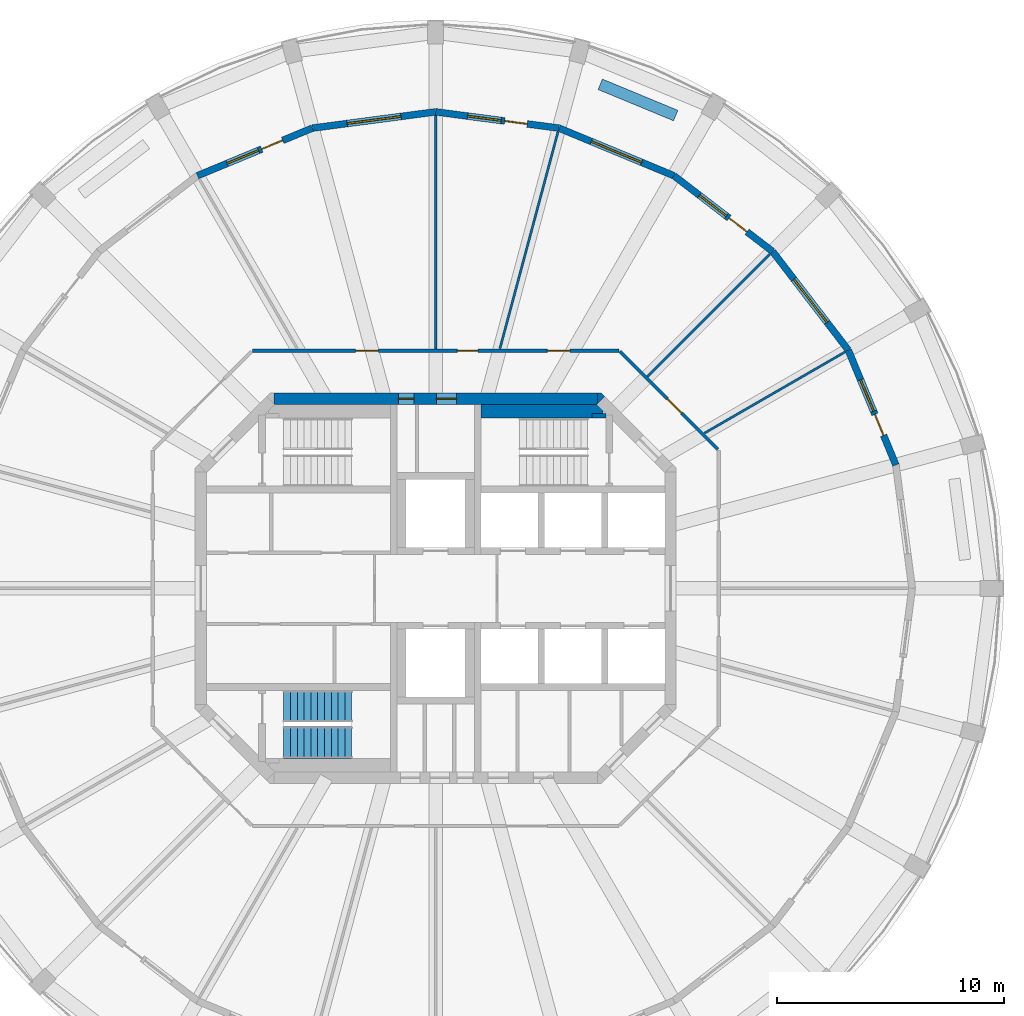
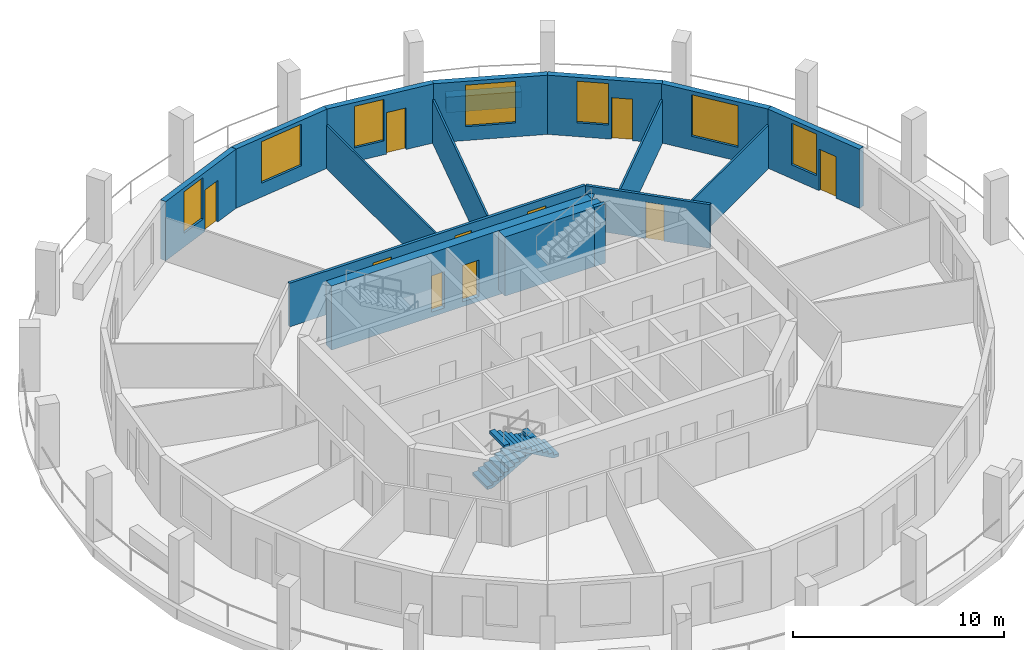
# One storey, part 6 of 9: 18 walls, 10 doors, 7 windows, 2 stair flights, 17 openings, 1 element without a shape of its own.
"""IFC4 building model written with IfcOpenShell, lengths in metres."""

from ifc_helpers import new_model, si_unit, direction, frame, frame_2d, origin, place, context, subcontext, project, spatial, polyline, rectangle, outline, extrude, material, layer, layer_set, type_object, element, fill, aggregate, save


model = new_model("IFC4")

# Units and contexts
model_context = context("Model", 3, precision=1e-05, world=origin(), true_north=direction((0.0, 1.0)))
body_context = subcontext(model_context, "Body", "Model", "MODEL_VIEW")
ifc_project = project(units=[si_unit("LENGTHUNIT", "METRE"), si_unit("AREAUNIT", "SQUARE_METRE"), si_unit("VOLUMEUNIT", "CUBIC_METRE"), si_unit("PLANEANGLEUNIT", "RADIAN"), si_unit("MASSUNIT", "GRAM", prefix="KILO")], contexts=[model_context])

# Site, building, storey
site_placement = place(None, origin())
site = spatial("IfcSite", under=ifc_project, at=site_placement, CompositionType="ELEMENT")
building_placement = place(site_placement, origin())
building = spatial("IfcBuilding", under=site, at=building_placement, Name="Torre Triforio", CompositionType="ELEMENT")
storey_placement = place(building_placement, frame((0.0, 0.0, 272.300048828125)))
storey = spatial("IfcBuildingStorey", under=building, at=storey_placement, Name="L63", CompositionType="ELEMENT", Elevation=272.300048828125)

# Wall, openings, doors
ifc_material_1 = material(Name="Concrete C40", Category="concrete")
ifc_layer_1 = layer(ifc_material_1, 0.5)
ifc_layer_set_1 = layer_set([ifc_layer_1], Name="Concrete C40")
wall_type_1 = type_object("IfcWallType", Name="Core wall 500 mm C40 EI 120", PredefinedType="SHEAR", material=ifc_layer_set_1)
wall_1_placement = place(storey_placement, frame((-7.1298828125, 8.35009765625, -0.280029296875), z_axis=(0.0, 0.0, 1.0), x_axis=(1.0, 0.0, 0.0)))
wall_1 = element("IfcWall", 1, at=wall_1_placement, inside=storey, type_object=wall_type_1, Name="Core wall", PredefinedType="SHEAR", context=body_context, shape_type="SweptSolid", body=[
    extrude(rectangle(XDim=14.259765625, YDim=0.5, at=frame_2d((7.1298828125, 0.0))), origin(), (0.0, 0.0, 1.0), 3.699951171875),
])
opening_1_placement = place(wall_1_placement, frame((5.47998046875, 0.0, 0.280029296875)))
opening_1 = element("IfcOpeningElement", 2, at=opening_1_placement, cuts=wall_1, Name="Opening RISER-N", PredefinedType="OPENING", context=body_context, shape_type="SweptSolid", body=[
    extrude(rectangle(XDim=0.699951171875, YDim=2.10009765625, at=frame_2d((0.35009765625, 1.050048828125))), frame((0.0, 0.260009765625, 0.0), z_axis=(0.0, -1.0, 0.0), x_axis=(1.0, 0.0, 0.0)), (0.0, 0.0, 1.0), 0.52001953125),
])
opening_2_placement = place(wall_1_placement, frame((7.155029296875, 0.0, 0.280029296875)))
opening_2 = element("IfcOpeningElement", 3, at=opening_2_placement, cuts=wall_1, Name="Opening NE-01", PredefinedType="OPENING", context=body_context, shape_type="SweptSolid", body=[
    extrude(rectangle(XDim=0.89990234375, YDim=2.10009765625, at=frame_2d((0.449951171875, 1.050048828125))), frame((0.0, 0.260009765625, 0.0), z_axis=(0.0, -1.0, 0.0), x_axis=(1.0, 0.0, 0.0)), (0.0, 0.0, 1.0), 0.52001953125),
])
ifc_material_2 = material(Name="Hollow metal fire door leaf")
door_type_1 = type_object("IfcDoorType", Name="Riser door 700 x 2100 EI 60", OperationType="NOTDEFINED", PredefinedType="DOOR", material=ifc_material_2)
door_1_placement = place(opening_1_placement, origin())
door_1 = element("IfcDoor", 4, at=door_1_placement, inside=storey, type_object=door_type_1, Name="Core door RISER-N", OperationType="SINGLE_SWING_LEFT", OverallHeight=2.10009765625, OverallWidth=0.699951171875, PredefinedType="DOOR", context=body_context, shape_type="SweptSolid", body=[
    extrude(rectangle(XDim=0.699951171875, YDim=2.10009765625, at=frame_2d((0.35009765625, 1.050048828125))), frame((0.0, 0.02490234375, 0.0), z_axis=(0.0, -1.0, 0.0), x_axis=(1.0, 0.0, 0.0)), (0.0, 0.0, 1.0), 0.050048828125),
])
fill(opening_1, door_1)
door_type_2 = type_object("IfcDoorType", Name="Room door 900 x 2100 EI 60", OperationType="NOTDEFINED", PredefinedType="DOOR", material=ifc_material_2)
door_2_placement = place(opening_2_placement, origin())
door_2 = element("IfcDoor", 5, at=door_2_placement, inside=storey, type_object=door_type_2, Name="Core door NE-01", OperationType="SINGLE_SWING_RIGHT", OverallHeight=2.10009765625, OverallWidth=0.89990234375, PredefinedType="DOOR", context=body_context, shape_type="SweptSolid", body=[
    extrude(rectangle(XDim=0.89990234375, YDim=2.10009765625, at=frame_2d((0.449951171875, 1.050048828125))), frame((0.0, 0.02490234375, 0.0), z_axis=(0.0, -1.0, 0.0), x_axis=(1.0, 0.0, 0.0)), (0.0, 0.0, 1.0), 0.050048828125),
])
fill(opening_2, door_2)

# Wall
wall_2_placement = place(storey_placement, frame((0.0, 0.0, -0.280029296875)))
element("IfcWall", 6, at=wall_2_placement, inside=storey, type_object=wall_type_1, Name="Core wall", PredefinedType="SHEAR", context=body_context, shape_type="SweptSolid", body=[
    extrude(outline(polyline([(7.30712890625, 8.60009765625), (7.45361328125, 8.45361328125), (7.1298828125, 8.1298828125), (7.1298828125, 8.60009765625), (7.30712890625, 8.60009765625)])), origin(), (0.0, 0.0, 1.0), 3.699951171875),
])

# Wall, openings, doors
ifc_material_3 = material(Name="Plasterboard on metal studs")
ifc_layer_2 = layer(ifc_material_3, 0.14990234375)
ifc_layer_set_2 = layer_set([ifc_layer_2], Name="Plasterboard on metal studs")
wall_type_2 = type_object("IfcWallType", Name="Corridor and tenancy wall 150 mm EI 60", PredefinedType="PARTITIONING", material=ifc_layer_set_2)
wall_3_placement = place(storey_placement, frame((-8.083740234375, 10.47509765625, 0.0), z_axis=(0.0, 0.0, 1.0), x_axis=(1.0, 0.0, 0.0)))
wall_3 = element("IfcWall", 7, at=wall_3_placement, inside=storey, type_object=wall_type_2, Name="Partition 6", PredefinedType="PARTITIONING", context=body_context, shape_type="SweptSolid", body=[
    extrude(rectangle(XDim=16.16748046875, YDim=0.14990234375, at=frame_2d((8.083740234375, 0.0))), origin(), (0.0, 0.0, 1.0), 2.52001953125),
])
opening_3_placement = place(wall_3_placement, frame((13.00390625, 0.0, 0.0)))
opening_3 = element("IfcOpeningElement", 8, at=opening_3_placement, cuts=wall_3, Name="Opening E2-09", PredefinedType="OPENING", context=body_context, shape_type="SweptSolid", body=[
    extrude(rectangle(XDim=1.0, YDim=2.10009765625, at=frame_2d((0.5, 1.050048828125))), frame((0.0, 0.0849609375, 0.0), z_axis=(0.0, -1.0, 0.0), x_axis=(1.0, 0.0, 0.0)), (0.0, 0.0, 1.0), 0.169921875),
])
opening_4_placement = place(wall_3_placement, frame((9.0380859375, 0.0, 0.0)))
opening_4 = element("IfcOpeningElement", 9, at=opening_4_placement, cuts=wall_3, Name="Opening E2-10", PredefinedType="OPENING", context=body_context, shape_type="SweptSolid", body=[
    extrude(rectangle(XDim=0.89990234375, YDim=2.10009765625, at=frame_2d((0.449951171875, 1.050048828125))), frame((0.0, 0.0849609375, 0.0), z_axis=(0.0, -1.0, 0.0), x_axis=(1.0, 0.0, 0.0)), (0.0, 0.0, 1.0), 0.169921875),
])
opening_5_placement = place(wall_3_placement, frame((4.555908203125, 0.0, 0.0)))
opening_5 = element("IfcOpeningElement", 10, at=opening_5_placement, cuts=wall_3, Name="Opening E2-11", PredefinedType="OPENING", context=body_context, shape_type="SweptSolid", body=[
    extrude(rectangle(XDim=1.0, YDim=2.10009765625, at=frame_2d((0.5, 1.050048828125))), frame((0.0, 0.0849609375, 0.0), z_axis=(0.0, -1.0, 0.0), x_axis=(1.0, 0.0, 0.0)), (0.0, 0.0, 1.0), 0.169921875),
])
ifc_material_4 = material(Name="Timber", Category="wood")
door_type_3 = type_object("IfcDoorType", Name="Door 1000 x 2100 single leaf EI 30", OperationType="NOTDEFINED", PredefinedType="DOOR", material=ifc_material_4)
door_3_placement = place(opening_3_placement, origin())
door_3 = element("IfcDoor", 11, at=door_3_placement, inside=storey, type_object=door_type_3, Name="Door E2-09", OperationType="SINGLE_SWING_LEFT", OverallHeight=2.10009765625, OverallWidth=1.0, PredefinedType="DOOR", context=body_context, shape_type="SweptSolid", body=[
    extrude(rectangle(XDim=1.0, YDim=2.10009765625, at=frame_2d((0.5, 1.050048828125))), frame((0.0, 0.02490234375, 0.0), z_axis=(0.0, -1.0, 0.0), x_axis=(1.0, 0.0, 0.0)), (0.0, 0.0, 1.0), 0.050048828125),
])
fill(opening_3, door_3)
door_4_placement = place(opening_5_placement, origin())
door_4 = element("IfcDoor", 12, at=door_4_placement, inside=storey, type_object=door_type_3, Name="Door E2-11", OperationType="SINGLE_SWING_LEFT", OverallHeight=2.10009765625, OverallWidth=1.0, PredefinedType="DOOR", context=body_context, shape_type="SweptSolid", body=[
    extrude(rectangle(XDim=1.0, YDim=2.10009765625, at=frame_2d((0.5, 1.050048828125))), frame((0.0, 0.02490234375, 0.0), z_axis=(0.0, -1.0, 0.0), x_axis=(1.0, 0.0, 0.0)), (0.0, 0.0, 1.0), 0.050048828125),
])
fill(opening_5, door_4)
door_type_4 = type_object("IfcDoorType", Name="Door 900 x 2100 single leaf EI 30", OperationType="NOTDEFINED", PredefinedType="DOOR", material=ifc_material_4)
door_5_placement = place(opening_4_placement, origin())
door_5 = element("IfcDoor", 13, at=door_5_placement, inside=storey, type_object=door_type_4, Name="Door E2-10", OperationType="SINGLE_SWING_LEFT", OverallHeight=2.10009765625, OverallWidth=0.89990234375, PredefinedType="DOOR", context=body_context, shape_type="SweptSolid", body=[
    extrude(rectangle(XDim=0.89990234375, YDim=2.10009765625, at=frame_2d((0.449951171875, 1.050048828125))), frame((0.0, 0.02490234375, 0.0), z_axis=(0.0, -1.0, 0.0), x_axis=(1.0, 0.0, 0.0)), (0.0, 0.0, 1.0), 0.050048828125),
])
fill(opening_4, door_5)

# Wall, opening, door
wall_4_placement = place(storey_placement, frame((8.120849609375, 10.43798828125, 0.0), z_axis=(0.0, 0.0, 1.0), x_axis=(0.707106781187, -0.707106781187, 0.0)))
wall_4 = element("IfcWall", 14, at=wall_4_placement, inside=storey, type_object=wall_type_2, Name="Partition 7", PredefinedType="PARTITIONING", context=body_context, shape_type="SweptSolid", body=[
    extrude(rectangle(XDim=6.10546875, YDim=0.14990234375, at=frame_2d((3.052734375, 0.0))), origin(), (0.0, 0.0, 1.0), 2.52001953125),
])
opening_6_placement = place(wall_4_placement, frame((2.947509765625, 0.0, 0.0)))
opening_6 = element("IfcOpeningElement", 15, at=opening_6_placement, cuts=wall_4, Name="Opening E2-08", PredefinedType="OPENING", context=body_context, shape_type="SweptSolid", body=[
    extrude(rectangle(XDim=0.89990234375, YDim=2.10009765625, at=frame_2d((0.449951171875, 1.050048828125))), frame((0.0, 0.0849609375, 0.0), z_axis=(0.0, -1.0, 0.0), x_axis=(1.0, 0.0, 0.0)), (0.0, 0.0, 1.0), 0.169921875),
])
door_6_placement = place(opening_6_placement, origin())
door_6 = element("IfcDoor", 16, at=door_6_placement, inside=storey, type_object=door_type_4, Name="Door E2-08", OperationType="SINGLE_SWING_LEFT", OverallHeight=2.10009765625, OverallWidth=0.89990234375, PredefinedType="DOOR", context=body_context, shape_type="SweptSolid", body=[
    extrude(rectangle(XDim=0.89990234375, YDim=2.10009765625, at=frame_2d((0.449951171875, 1.050048828125))), frame((0.0, 0.02490234375, 0.0), z_axis=(0.0, -1.0, 0.0), x_axis=(1.0, 0.0, 0.0)), (0.0, 0.0, 1.0), 0.050048828125),
])
fill(opening_6, door_6)

# Walls
ifc_layer_3 = layer(ifc_material_3, 0.10009765625)
ifc_layer_set_3 = layer_set([ifc_layer_3], Name="Plasterboard on metal studs")
wall_type_3 = type_object("IfcWallType", Name="Partition 100 mm board on metal studs", PredefinedType="PARTITIONING", material=ifc_layer_set_3)
wall_5_placement = place(storey_placement, frame((11.845947265625, 6.839111328125, 0.0), z_axis=(0.0, 0.0, 1.0), x_axis=(0.866011787705, 0.500023583, 0.0)))
element("IfcWall", 17, at=wall_5_placement, inside=storey, type_object=wall_type_3, Name="Partition 10", PredefinedType="PARTITIONING", context=body_context, shape_type="SweptSolid", body=[
    extrude(rectangle(XDim=7.158447265625, YDim=0.10009765625, at=frame_2d((3.5791015625, 0.0))), origin(), (0.0, 0.0, 1.0), 2.52001953125),
])
wall_6_placement = place(storey_placement, frame((9.33251953125, 9.33251953125, 0.0), z_axis=(0.0, 0.0, 1.0), x_axis=(0.707106781187, 0.707106781187, 0.0)))
element("IfcWall", 18, at=wall_6_placement, inside=storey, type_object=wall_type_3, Name="Partition 11", PredefinedType="PARTITIONING", context=body_context, shape_type="SweptSolid", body=[
    extrude(rectangle(XDim=7.638671875, YDim=0.10009765625, at=frame_2d((3.8193359375, 0.0))), origin(), (0.0, 0.0, 1.0), 2.52001953125),
])
wall_7_placement = place(storey_placement, frame((2.830810546875, 10.564208984375, 0.0), z_axis=(0.0, 0.0, 1.0), x_axis=(0.258795254151, 0.965932200741, 0.0)))
element("IfcWall", 19, at=wall_7_placement, inside=storey, type_object=wall_type_3, Name="Partition 12", PredefinedType="PARTITIONING", context=body_context, shape_type="SweptSolid", body=[
    extrude(rectangle(XDim=9.899658203125, YDim=0.10009765625, at=frame_2d((4.94970703125, 0.0))), origin(), (0.0, 0.0, 1.0), 2.52001953125),
])
wall_8_placement = place(storey_placement, frame((0.0, 10.550048828125, 0.0), z_axis=(0.0, 0.0, 1.0), x_axis=(0.0, 1.0, 0.0)))
element("IfcWall", 20, at=wall_8_placement, inside=storey, type_object=wall_type_3, Name="Partition 13", PredefinedType="PARTITIONING", context=body_context, shape_type="SweptSolid", body=[
    extrude(rectangle(XDim=10.28662109375, YDim=0.10009765625, at=frame_2d((5.143310546875, 0.0))), origin(), (0.0, 0.0, 1.0), 2.52001953125),
])
ifc_material_5 = material(Name="Limestone cladding", Category="masonry")
ifc_layer_4 = layer(ifc_material_5, 0.10009765625)
ifc_layer_5 = layer(ifc_material_1, 0.39990234375)
ifc_layer_set_4 = layer_set([ifc_layer_4, ifc_layer_5], Name="Limestone cladding / Concrete C40")
wall_type_4 = type_object("IfcWallType", Name="Planter wall 500", PredefinedType="PARAPET", material=ifc_layer_set_4)
wall_9_placement = place(storey_placement, frame((10.57958984375, 20.837646484375, 0.0), z_axis=(0.0, 0.0, 1.0), x_axis=(-0.923909393783, 0.382611332921, 0.0)))
element("IfcWall", 21, at=wall_9_placement, inside=storey, type_object=wall_type_4, Name="Planter L63 bay 05", PredefinedType="PARAPET", context=body_context, shape_type="SweptSolid", body=[
    extrude(rectangle(XDim=3.60009765625, YDim=0.5, at=frame_2d((1.800048828125, 0.0))), origin(), (0.0, 0.0, 1.0), 0.89990234375),
])
ifc_layer_6 = layer(ifc_material_1, 0.199951171875)
ifc_layer_set_5 = layer_set([ifc_layer_6], Name="Concrete C40")
wall_type_5 = type_object("IfcWallType", Name="Stair wall 200 mm C40 EI 120", PredefinedType="SHEAR", material=ifc_layer_set_5)
wall_10_placement = place(storey_placement, frame((6.89990234375, 7.60009765625, 0.0), z_axis=(0.0, 0.0, 1.0), x_axis=(1.0, 0.0, 0.0)))
element("IfcWall", 22, at=wall_10_placement, inside=storey, type_object=wall_type_5, Name="Stair wall", PredefinedType="SHEAR", context=body_context, shape_type="SweptSolid", body=[
    extrude(rectangle(XDim=0.60009765625, YDim=0.199951171875, at=frame_2d((0.300048828125, 0.0))), origin(), (0.0, 0.0, 1.0), 3.419921875),
])
ifc_layer_7 = layer(ifc_material_1, 0.60009765625)
ifc_layer_set_6 = layer_set([ifc_layer_7], Name="Concrete C40")
wall_type_6 = type_object("IfcWallType", Name="Stair wall 600 mm C40 EI 120", PredefinedType="SHEAR", material=ifc_layer_set_6)
wall_11_placement = place(storey_placement, frame((2.0, 7.800048828125, 0.0), z_axis=(0.0, 0.0, 1.0), x_axis=(1.0, 0.0, 0.0)))
element("IfcWall", 23, at=wall_11_placement, inside=storey, type_object=wall_type_6, Name="Stair wall", PredefinedType="SHEAR", context=body_context, shape_type="SweptSolid", body=[
    extrude(rectangle(XDim=5.3701171875, YDim=0.60009765625, at=frame_2d((2.68505859375, 0.0))), origin(), (0.0, 0.0, 1.0), 3.419921875),
])

# Wall, openings, door, window
ifc_layer_8 = layer(ifc_material_5, 0.10009765625)
ifc_layer_9 = layer(ifc_material_1, 0.199951171875)
ifc_layer_set_7 = layer_set([ifc_layer_8, ifc_layer_9], Name="Limestone cladding / Concrete C40")
wall_type_7 = type_object("IfcWallType", Name="Stone-faced composite wall 300", PredefinedType="STANDARD", material=ifc_layer_set_7)
wall_12_placement = place(storey_placement, frame((20.284423828125, 5.435302734375, 0.0), z_axis=(0.0, 0.0, 1.0), x_axis=(-0.382688740813, 0.923877333662, 0.0)))
wall_12 = element("IfcWall", 24, at=wall_12_placement, inside=storey, type_object=wall_type_7, Name="External wall L63 bay 02", PredefinedType="STANDARD", context=body_context, shape_type="SweptSolid", body=[
    extrude(rectangle(XDim=5.48193359375, YDim=0.300048828125, at=frame_2d((2.740966796875, 0.0))), origin(), (0.0, 0.0, 1.0), 3.419921875),
])
opening_7_placement = place(wall_12_placement, frame((1.416015625, 0.0, 0.0)))
opening_7 = element("IfcOpeningElement", 25, at=opening_7_placement, cuts=wall_12, Name="Opening E2-D02", PredefinedType="OPENING", context=body_context, shape_type="SweptSolid", body=[
    extrude(rectangle(XDim=1.0, YDim=2.39990234375, at=frame_2d((0.5, 1.199951171875))), frame((0.0, 0.159912109375, 0.0), z_axis=(0.0, -1.0, 0.0), x_axis=(1.0, 0.0, 0.0)), (0.0, 0.0, 1.0), 0.320068359375),
])
opening_8_placement = place(wall_12_placement, frame((2.566162109375, 0.0, 0.800048828125)))
opening_8 = element("IfcOpeningElement", 26, at=opening_8_placement, cuts=wall_12, Name="Opening E2-W02A", PredefinedType="OPENING", context=body_context, shape_type="SweptSolid", body=[
    extrude(rectangle(XDim=1.5, YDim=2.39990234375, at=frame_2d((0.75, 1.199951171875))), frame((0.0, 0.159912109375, 0.0), z_axis=(0.0, -1.0, 0.0), x_axis=(1.0, 0.0, 0.0)), (0.0, 0.0, 1.0), 0.320068359375),
])
ifc_material_6 = material(Name="Aluminium frame with clear double glazing", Category="aluminium")
door_type_5 = type_object("IfcDoorType", Name="Loggia door 1000 x 2400", OperationType="NOTDEFINED", PredefinedType="DOOR", material=ifc_material_6)
door_7_placement = place(opening_7_placement, origin())
door_7 = element("IfcDoor", 27, at=door_7_placement, inside=storey, type_object=door_type_5, Name="Loggia door L63 bay 02", OperationType="SINGLE_SWING_LEFT", OverallHeight=2.39990234375, OverallWidth=1.0, PredefinedType="DOOR", context=body_context, shape_type="SweptSolid", body=[
    extrude(rectangle(XDim=1.0, YDim=2.39990234375, at=frame_2d((0.5, 1.199951171875))), frame((0.0, 0.02490234375, 0.0), z_axis=(0.0, -1.0, 0.0), x_axis=(1.0, 0.0, 0.0)), (0.0, 0.0, 1.0), 0.050048828125),
])
fill(opening_7, door_7)
window_type_1 = type_object("IfcWindowType", Name="Side window 1500 x 2400", PartitioningType="SINGLE_PANEL", PredefinedType="WINDOW", material=ifc_material_6)
window_1_placement = place(opening_8_placement, origin())
window_1 = element("IfcWindow", 28, at=window_1_placement, inside=storey, type_object=window_type_1, Name="Side window EWN14 L63 bay 02", OverallHeight=2.39990234375, OverallWidth=1.5, PartitioningType="SINGLE_PANEL", PredefinedType="WINDOW", context=body_context, shape_type="SweptSolid", body=[
    extrude(rectangle(XDim=1.5, YDim=2.39990234375, at=frame_2d((0.75, 1.199951171875))), frame((0.0, 0.030029296875, 0.0), z_axis=(0.0, -1.0, 0.0), x_axis=(1.0, 0.0, 0.0)), (0.0, 0.0, 1.0), 0.06005859375),
])
fill(opening_8, window_1)

# Wall, opening, window
wall_13_placement = place(storey_placement, frame((18.1865234375, 10.5, 0.0), z_axis=(0.0, 0.0, 1.0), x_axis=(-0.608784891166, 0.793335336593, 0.0)))
wall_13 = element("IfcWall", 29, at=wall_13_placement, inside=storey, type_object=wall_type_7, Name="External wall L63 bay 03", PredefinedType="STANDARD", context=body_context, shape_type="SweptSolid", body=[
    extrude(rectangle(XDim=5.482177734375, YDim=0.300048828125, at=frame_2d((2.7412109375, 0.0))), origin(), (0.0, 0.0, 1.0), 3.419921875),
])
opening_9_placement = place(wall_13_placement, frame((1.541015625, 0.0, 0.800048828125)))
opening_9 = element("IfcOpeningElement", 30, at=opening_9_placement, cuts=wall_13, Name="Opening E2-W03", PredefinedType="OPENING", context=body_context, shape_type="SweptSolid", body=[
    extrude(rectangle(XDim=2.39990234375, YDim=2.39990234375, at=frame_2d((1.199951171875, 1.199951171875))), frame((0.0, 0.159912109375, 0.0), z_axis=(0.0, -1.0, 0.0), x_axis=(1.0, 0.0, 0.0)), (0.0, 0.0, 1.0), 0.320068359375),
])
window_type_2 = type_object("IfcWindowType", Name="Punched window 2400 x 2400", PartitioningType="DOUBLE_PANEL_VERTICAL", PredefinedType="WINDOW", material=ifc_material_6)
window_2_placement = place(opening_9_placement, origin())
window_2 = element("IfcWindow", 31, at=window_2_placement, inside=storey, type_object=window_type_2, Name="Window EWN4 L63 bay 03", OverallHeight=2.39990234375, OverallWidth=2.39990234375, PartitioningType="SINGLE_PANEL", PredefinedType="WINDOW", context=body_context, shape_type="SweptSolid", body=[
    extrude(rectangle(XDim=2.39990234375, YDim=2.39990234375, at=frame_2d((1.199951171875, 1.199951171875))), frame((0.0, 0.030029296875, 0.0), z_axis=(0.0, -1.0, 0.0), x_axis=(1.0, 0.0, 0.0)), (0.0, 0.0, 1.0), 0.06005859375),
])
fill(opening_9, window_2)

# Wall, openings, door, window
wall_14_placement = place(storey_placement, frame((14.84912109375, 14.84912109375, 0.0), z_axis=(0.0, 0.0, 1.0), x_axis=(-0.793335336593, 0.608784891166, 0.0)))
wall_14 = element("IfcWall", 32, at=wall_14_placement, inside=storey, type_object=wall_type_7, Name="External wall L63 bay 04", PredefinedType="STANDARD", context=body_context, shape_type="SweptSolid", body=[
    extrude(rectangle(XDim=5.482177734375, YDim=0.300048828125, at=frame_2d((2.7412109375, 0.0))), origin(), (0.0, 0.0, 1.0), 3.419921875),
])
opening_10_placement = place(wall_14_placement, frame((1.416015625, 0.0, 0.0)))
opening_10 = element("IfcOpeningElement", 33, at=opening_10_placement, cuts=wall_14, Name="Opening E2-D04", PredefinedType="OPENING", context=body_context, shape_type="SweptSolid", body=[
    extrude(rectangle(XDim=1.0, YDim=2.39990234375, at=frame_2d((0.5, 1.199951171875))), frame((0.0, 0.159912109375, 0.0), z_axis=(0.0, -1.0, 0.0), x_axis=(1.0, 0.0, 0.0)), (0.0, 0.0, 1.0), 0.320068359375),
])
opening_11_placement = place(wall_14_placement, frame((2.56591796875, 0.0, 0.800048828125)))
opening_11 = element("IfcOpeningElement", 34, at=opening_11_placement, cuts=wall_14, Name="Opening E2-W04A", PredefinedType="OPENING", context=body_context, shape_type="SweptSolid", body=[
    extrude(rectangle(XDim=1.5, YDim=2.39990234375, at=frame_2d((0.75, 1.199951171875))), frame((0.0, 0.159912109375, 0.0), z_axis=(0.0, -1.0, 0.0), x_axis=(1.0, 0.0, 0.0)), (0.0, 0.0, 1.0), 0.320068359375),
])
door_8_placement = place(opening_10_placement, origin())
door_8 = element("IfcDoor", 35, at=door_8_placement, inside=storey, type_object=door_type_5, Name="Loggia door L63 bay 04", OperationType="SINGLE_SWING_LEFT", OverallHeight=2.39990234375, OverallWidth=1.0, PredefinedType="DOOR", context=body_context, shape_type="SweptSolid", body=[
    extrude(rectangle(XDim=1.0, YDim=2.39990234375, at=frame_2d((0.5, 1.199951171875))), frame((0.0, 0.02490234375, 0.0), z_axis=(0.0, -1.0, 0.0), x_axis=(1.0, 0.0, 0.0)), (0.0, 0.0, 1.0), 0.050048828125),
])
fill(opening_10, door_8)
window_3_placement = place(opening_11_placement, origin())
window_3 = element("IfcWindow", 36, at=window_3_placement, inside=storey, type_object=window_type_1, Name="Side window EWN14 L63 bay 04", OverallHeight=2.39990234375, OverallWidth=1.5, PartitioningType="SINGLE_PANEL", PredefinedType="WINDOW", context=body_context, shape_type="SweptSolid", body=[
    extrude(rectangle(XDim=1.5, YDim=2.39990234375, at=frame_2d((0.75, 1.199951171875))), frame((0.0, 0.030029296875, 0.0), z_axis=(0.0, -1.0, 0.0), x_axis=(1.0, 0.0, 0.0)), (0.0, 0.0, 1.0), 0.06005859375),
])
fill(opening_11, window_3)

# Wall, opening, window
wall_15_placement = place(storey_placement, frame((10.5, 18.1865234375, 0.0), z_axis=(0.0, 0.0, 1.0), x_axis=(-0.923877333662, 0.382688740813, 0.0)))
wall_15 = element("IfcWall", 37, at=wall_15_placement, inside=storey, type_object=wall_type_7, Name="External wall L63 bay 05", PredefinedType="STANDARD", context=body_context, shape_type="SweptSolid", body=[
    extrude(rectangle(XDim=5.48193359375, YDim=0.300048828125, at=frame_2d((2.740966796875, 0.0))), origin(), (0.0, 0.0, 1.0), 3.419921875),
])
opening_12_placement = place(wall_15_placement, frame((1.541015625, 0.0, 0.800048828125)))
opening_12 = element("IfcOpeningElement", 38, at=opening_12_placement, cuts=wall_15, Name="Opening E2-W05", PredefinedType="OPENING", context=body_context, shape_type="SweptSolid", body=[
    extrude(rectangle(XDim=2.39990234375, YDim=2.39990234375, at=frame_2d((1.199951171875, 1.199951171875))), frame((0.0, 0.159912109375, 0.0), z_axis=(0.0, -1.0, 0.0), x_axis=(1.0, 0.0, 0.0)), (0.0, 0.0, 1.0), 0.320068359375),
])
window_4_placement = place(opening_12_placement, origin())
window_4 = element("IfcWindow", 39, at=window_4_placement, inside=storey, type_object=window_type_2, Name="Window EWN4 L63 bay 05", OverallHeight=2.39990234375, OverallWidth=2.39990234375, PartitioningType="SINGLE_PANEL", PredefinedType="WINDOW", context=body_context, shape_type="SweptSolid", body=[
    extrude(rectangle(XDim=2.39990234375, YDim=2.39990234375, at=frame_2d((1.199951171875, 1.199951171875))), frame((0.0, 0.030029296875, 0.0), z_axis=(0.0, -1.0, 0.0), x_axis=(1.0, 0.0, 0.0)), (0.0, 0.0, 1.0), 0.06005859375),
])
fill(opening_12, window_4)

# Wall, openings, door, window
wall_16_placement = place(storey_placement, frame((5.435302734375, 20.284423828125, 0.0), z_axis=(0.0, 0.0, 1.0), x_axis=(-0.991444743541, 0.130527087244, 0.0)))
wall_16 = element("IfcWall", 40, at=wall_16_placement, inside=storey, type_object=wall_type_7, Name="External wall L63 bay 06", PredefinedType="STANDARD", context=body_context, shape_type="SweptSolid", body=[
    extrude(rectangle(XDim=5.482177734375, YDim=0.300048828125, at=frame_2d((2.7412109375, 0.0))), origin(), (0.0, 0.0, 1.0), 3.419921875),
])
opening_13_placement = place(wall_16_placement, frame((1.416015625, 0.0, 0.0)))
opening_13 = element("IfcOpeningElement", 41, at=opening_13_placement, cuts=wall_16, Name="Opening E2-D06", PredefinedType="OPENING", context=body_context, shape_type="SweptSolid", body=[
    extrude(rectangle(XDim=1.0, YDim=2.39990234375, at=frame_2d((0.5, 1.199951171875))), frame((0.0, 0.159912109375, 0.0), z_axis=(0.0, -1.0, 0.0), x_axis=(1.0, 0.0, 0.0)), (0.0, 0.0, 1.0), 0.320068359375),
])
opening_14_placement = place(wall_16_placement, frame((2.566162109375, 0.0, 0.800048828125)))
opening_14 = element("IfcOpeningElement", 42, at=opening_14_placement, cuts=wall_16, Name="Opening E2-W06A", PredefinedType="OPENING", context=body_context, shape_type="SweptSolid", body=[
    extrude(rectangle(XDim=1.5, YDim=2.39990234375, at=frame_2d((0.75, 1.199951171875))), frame((0.0, 0.159912109375, 0.0), z_axis=(0.0, -1.0, 0.0), x_axis=(1.0, 0.0, 0.0)), (0.0, 0.0, 1.0), 0.320068359375),
])
door_9_placement = place(opening_13_placement, origin())
door_9 = element("IfcDoor", 43, at=door_9_placement, inside=storey, type_object=door_type_5, Name="Loggia door L63 bay 06", OperationType="SINGLE_SWING_LEFT", OverallHeight=2.39990234375, OverallWidth=1.0, PredefinedType="DOOR", context=body_context, shape_type="SweptSolid", body=[
    extrude(rectangle(XDim=1.0, YDim=2.39990234375, at=frame_2d((0.5, 1.199951171875))), frame((0.0, 0.02490234375, 0.0), z_axis=(0.0, -1.0, 0.0), x_axis=(1.0, 0.0, 0.0)), (0.0, 0.0, 1.0), 0.050048828125),
])
fill(opening_13, door_9)
window_5_placement = place(opening_14_placement, origin())
window_5 = element("IfcWindow", 44, at=window_5_placement, inside=storey, type_object=window_type_1, Name="Side window EWN14 L63 bay 06", OverallHeight=2.39990234375, OverallWidth=1.5, PartitioningType="SINGLE_PANEL", PredefinedType="WINDOW", context=body_context, shape_type="SweptSolid", body=[
    extrude(rectangle(XDim=1.5, YDim=2.39990234375, at=frame_2d((0.75, 1.199951171875))), frame((0.0, 0.030029296875, 0.0), z_axis=(0.0, -1.0, 0.0), x_axis=(1.0, 0.0, 0.0)), (0.0, 0.0, 1.0), 0.06005859375),
])
fill(opening_14, window_5)

# Wall, opening, window
wall_17_placement = place(storey_placement, frame((0.0, 21.0, 0.0), z_axis=(0.0, 0.0, 1.0), x_axis=(-0.991444743541, -0.130527087244, 0.0)))
wall_17 = element("IfcWall", 45, at=wall_17_placement, inside=storey, type_object=wall_type_7, Name="External wall L63 bay 07", PredefinedType="STANDARD", context=body_context, shape_type="SweptSolid", body=[
    extrude(rectangle(XDim=5.482177734375, YDim=0.300048828125, at=frame_2d((2.7412109375, 0.0))), origin(), (0.0, 0.0, 1.0), 3.419921875),
])
opening_15_placement = place(wall_17_placement, frame((1.541015625, 0.0, 0.800048828125)))
opening_15 = element("IfcOpeningElement", 46, at=opening_15_placement, cuts=wall_17, Name="Opening E2-W07", PredefinedType="OPENING", context=body_context, shape_type="SweptSolid", body=[
    extrude(rectangle(XDim=2.39990234375, YDim=2.39990234375, at=frame_2d((1.199951171875, 1.199951171875))), frame((0.0, 0.159912109375, 0.0), z_axis=(0.0, -1.0, 0.0), x_axis=(1.0, 0.0, 0.0)), (0.0, 0.0, 1.0), 0.320068359375),
])
window_6_placement = place(opening_15_placement, origin())
window_6 = element("IfcWindow", 47, at=window_6_placement, inside=storey, type_object=window_type_2, Name="Window EWN4 L63 bay 07", OverallHeight=2.39990234375, OverallWidth=2.39990234375, PartitioningType="SINGLE_PANEL", PredefinedType="WINDOW", context=body_context, shape_type="SweptSolid", body=[
    extrude(rectangle(XDim=2.39990234375, YDim=2.39990234375, at=frame_2d((1.199951171875, 1.199951171875))), frame((0.0, 0.030029296875, 0.0), z_axis=(0.0, -1.0, 0.0), x_axis=(1.0, 0.0, 0.0)), (0.0, 0.0, 1.0), 0.06005859375),
])
fill(opening_15, window_6)

# Wall, openings, door, window
wall_18_placement = place(storey_placement, frame((-5.435302734375, 20.284423828125, 0.0), z_axis=(0.0, 0.0, 1.0), x_axis=(-0.923877333662, -0.382688740813, 0.0)))
wall_18 = element("IfcWall", 48, at=wall_18_placement, inside=storey, type_object=wall_type_7, Name="External wall L63 bay 08", PredefinedType="STANDARD", context=body_context, shape_type="SweptSolid", body=[
    extrude(rectangle(XDim=5.48193359375, YDim=0.300048828125, at=frame_2d((2.740966796875, 0.0))), origin(), (0.0, 0.0, 1.0), 3.419921875),
])
opening_16_placement = place(wall_18_placement, frame((1.416015625, 0.0, 0.0)))
opening_16 = element("IfcOpeningElement", 49, at=opening_16_placement, cuts=wall_18, Name="Opening E2-D08", PredefinedType="OPENING", context=body_context, shape_type="SweptSolid", body=[
    extrude(rectangle(XDim=1.0, YDim=2.39990234375, at=frame_2d((0.5, 1.199951171875))), frame((0.0, 0.159912109375, 0.0), z_axis=(0.0, -1.0, 0.0), x_axis=(1.0, 0.0, 0.0)), (0.0, 0.0, 1.0), 0.320068359375),
])
opening_17_placement = place(wall_18_placement, frame((2.566162109375, 0.0, 0.800048828125)))
opening_17 = element("IfcOpeningElement", 50, at=opening_17_placement, cuts=wall_18, Name="Opening E2-W08A", PredefinedType="OPENING", context=body_context, shape_type="SweptSolid", body=[
    extrude(rectangle(XDim=1.5, YDim=2.39990234375, at=frame_2d((0.75, 1.199951171875))), frame((0.0, 0.159912109375, 0.0), z_axis=(0.0, -1.0, 0.0), x_axis=(1.0, 0.0, 0.0)), (0.0, 0.0, 1.0), 0.320068359375),
])
door_10_placement = place(opening_16_placement, origin())
door_10 = element("IfcDoor", 51, at=door_10_placement, inside=storey, type_object=door_type_5, Name="Loggia door L63 bay 08", OperationType="SINGLE_SWING_LEFT", OverallHeight=2.39990234375, OverallWidth=1.0, PredefinedType="DOOR", context=body_context, shape_type="SweptSolid", body=[
    extrude(rectangle(XDim=1.0, YDim=2.39990234375, at=frame_2d((0.5, 1.199951171875))), frame((0.0, 0.02490234375, 0.0), z_axis=(0.0, -1.0, 0.0), x_axis=(1.0, 0.0, 0.0)), (0.0, 0.0, 1.0), 0.050048828125),
])
fill(opening_16, door_10)
window_7_placement = place(opening_17_placement, origin())
window_7 = element("IfcWindow", 52, at=window_7_placement, inside=storey, type_object=window_type_1, Name="Side window EWN14 L63 bay 08", OverallHeight=2.39990234375, OverallWidth=1.5, PartitioningType="SINGLE_PANEL", PredefinedType="WINDOW", context=body_context, shape_type="SweptSolid", body=[
    extrude(rectangle(XDim=1.5, YDim=2.39990234375, at=frame_2d((0.75, 1.199951171875))), frame((0.0, 0.030029296875, 0.0), z_axis=(0.0, -1.0, 0.0), x_axis=(1.0, 0.0, 0.0)), (0.0, 0.0, 1.0), 0.06005859375),
])
fill(opening_17, window_7)

# Stair, stair flights
stair_type = type_object("IfcStairType", Name="STAIR HALF-TURN", PredefinedType="HALF_TURN_STAIR", material=ifc_material_1)
stair_placement = place(storey_placement, origin())
stair = element("IfcStair", 53, at=stair_placement, inside=storey, type_object=stair_type, Name="Exit stair 3", PredefinedType="HALF_TURN_STAIR")
stair_flight_type = type_object("IfcStairFlightType", Name="STAIR FLIGHT 1400", PredefinedType="STRAIGHT", material=ifc_material_1)
stair_flight_1_placement = place(storey_placement, frame((-6.699951171875, -5.199951171875, 0.0), z_axis=(0.0, 0.0, 1.0), x_axis=(1.0, 0.0, 0.0)))
stair_flight_1 = element("IfcStairFlight", 54, at=stair_flight_1_placement, type_object=stair_flight_type, Name="ST3 flight 1", NumberOfRisers=11, NumberOfTreads=10, PredefinedType="STRAIGHT", RiserHeight=0.168181818, TreadLength=0.3, context=body_context, shape_type="SweptSolid", body=[
    extrude(outline(polyline([(0.0, 0.0), (0.0, 0.168212890625), (0.300048828125, 0.168212890625), (0.300048828125, 0.33642578125), (0.60009765625, 0.33642578125), (0.60009765625, 0.504638671875), (0.89990234375, 0.504638671875), (0.89990234375, 0.672607421875), (1.199951171875, 0.672607421875), (1.199951171875, 0.8408203125), (1.5, 0.8408203125), (1.5, 1.009033203125), (1.800048828125, 1.009033203125), (1.800048828125, 1.17724609375), (2.10009765625, 1.17724609375), (2.10009765625, 1.345458984375), (2.39990234375, 1.345458984375), (2.39990234375, 1.513671875), (2.699951171875, 1.513671875), (2.699951171875, 1.681884765625), (3.0, 1.681884765625), (3.0, 1.85009765625), (3.0, 1.510009765625), (0.306640625, 0.0), (0.0, 0.0)])), frame((0.0, 0.699951171875, 0.0), z_axis=(0.0, -1.0, 0.0), x_axis=(1.0, 0.0, 0.0)), (0.0, 0.0, 1.0), 1.39990234375),
])
stair_flight_2_placement = place(storey_placement, frame((-3.699951171875, -6.800048828125, 1.849853515625), z_axis=(0.0, 0.0, 1.0), x_axis=(-1.0, 0.0, 0.0)))
stair_flight_2 = element("IfcStairFlight", 55, at=stair_flight_2_placement, type_object=stair_flight_type, Name="ST3 flight 2", NumberOfRisers=11, NumberOfTreads=10, PredefinedType="STRAIGHT", RiserHeight=0.168181818, TreadLength=0.3, context=body_context, shape_type="SweptSolid", body=[
    extrude(outline(polyline([(0.0, 0.0), (0.0, 0.168212890625), (0.300048828125, 0.168212890625), (0.300048828125, 0.33642578125), (0.60009765625, 0.33642578125), (0.60009765625, 0.504638671875), (0.89990234375, 0.504638671875), (0.89990234375, 0.672607421875), (1.199951171875, 0.672607421875), (1.199951171875, 0.8408203125), (1.5, 0.8408203125), (1.5, 1.009033203125), (1.800048828125, 1.009033203125), (1.800048828125, 1.17724609375), (2.10009765625, 1.17724609375), (2.10009765625, 1.345458984375), (2.39990234375, 1.345458984375), (2.39990234375, 1.513671875), (2.699951171875, 1.513671875), (2.699951171875, 1.681884765625), (3.0, 1.681884765625), (3.0, 1.85009765625), (3.0, 1.510009765625), (0.306640625, 0.0), (0.0, 0.0)])), frame((0.0, 0.699951171875, 0.0), z_axis=(0.0, -1.0, 0.0), x_axis=(1.0, 0.0, 0.0)), (0.0, 0.0, 1.0), 1.39990234375),
])
aggregate(stair, [stair_flight_1, stair_flight_2])

save(model, "model.ifc")
